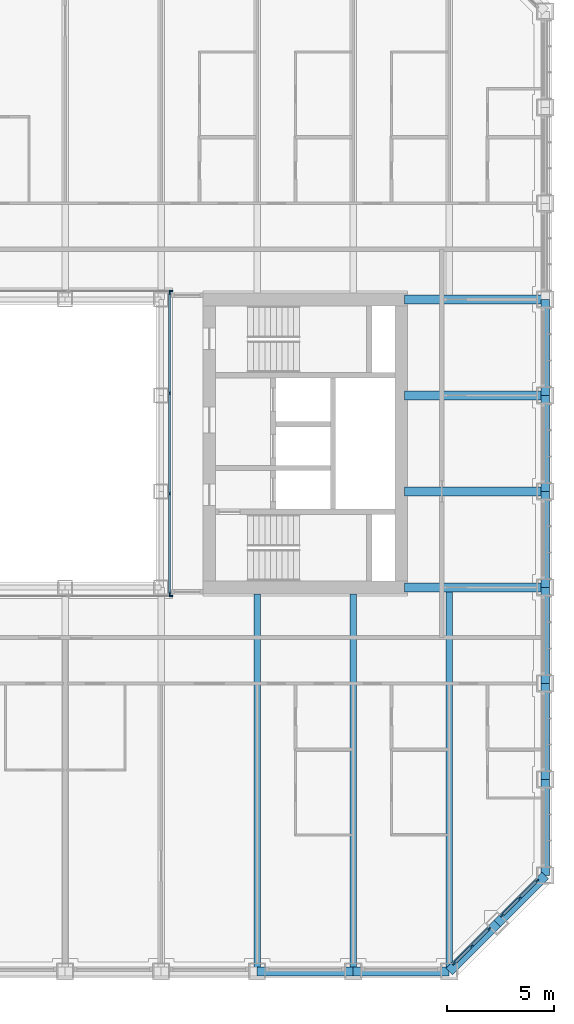
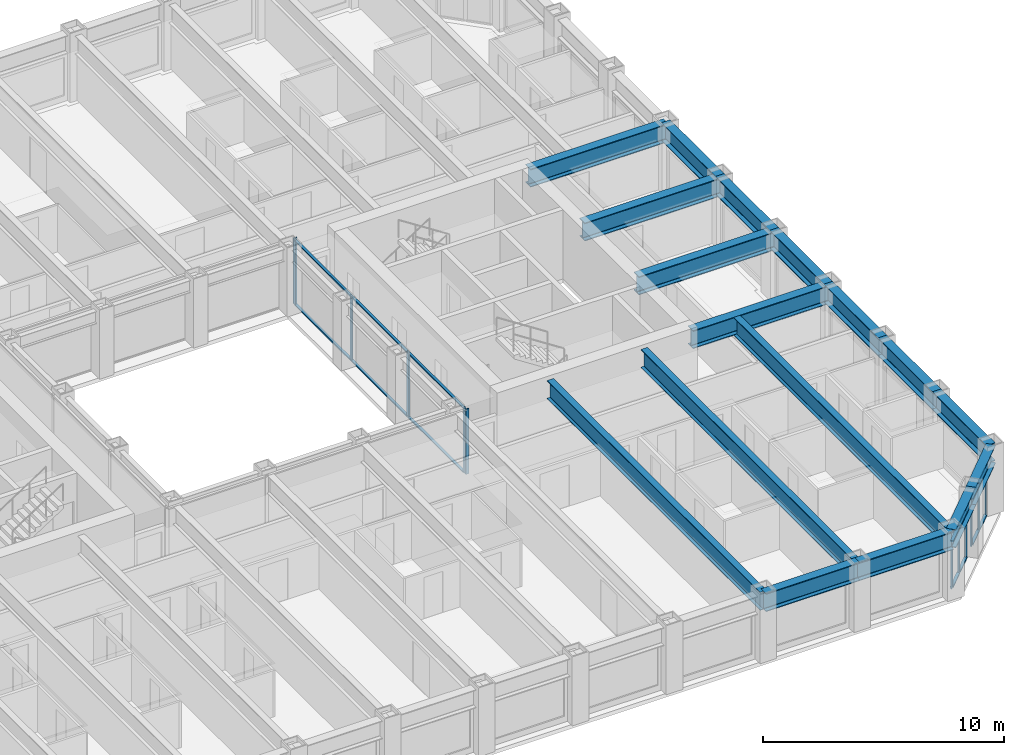
# One storey, part 5 of 21: 26 members, 17 beams, 5 elements without a shape of their own.
"""IFC4 building model written with IfcOpenShell, lengths in metres."""

from ifc_helpers import new_model, si_unit, direction, frame, origin, origin_2d, place, context, subcontext, project, spatial, rectangle, i_section, extrude, material, material_profile, profile_set, type_object, element, aggregate, save


model = new_model("IFC4")

# Units and contexts
model_context = context("Model", 3, precision=1e-05, world=origin(), true_north=direction((0.0, 1.0)))
body_context = subcontext(model_context, "Body", "Model", "MODEL_VIEW")
ifc_project = project(units=[si_unit("LENGTHUNIT", "METRE"), si_unit("AREAUNIT", "SQUARE_METRE"), si_unit("VOLUMEUNIT", "CUBIC_METRE"), si_unit("PLANEANGLEUNIT", "RADIAN"), si_unit("MASSUNIT", "GRAM", prefix="KILO")], contexts=[model_context])

# Site, building, storey
site_placement = place(None, origin())
site = spatial("IfcSite", under=ifc_project, at=site_placement, CompositionType="ELEMENT")
building_placement = place(site_placement, origin())
building = spatial("IfcBuilding", under=site, at=building_placement, Name="Msasa Ring Tower", CompositionType="ELEMENT")
storey_placement = place(building_placement, frame((0.0, 0.0, 82.5)))
storey = spatial("IfcBuildingStorey", under=building, at=storey_placement, Name="L21", CompositionType="ELEMENT", Elevation=82.5)

# Curtain wall, members
ifc_material_1 = material(Name="Aluminium curtain wall with clear glass", Category="aluminium")
curtain_wall_type_1 = type_object("IfcCurtainWallType", Name="CW-C CHAMFER CORNER CURTAIN WALL", PredefinedType="NOTDEFINED", material=ifc_material_1)
curtain_wall_1_placement = place(storey_placement, origin())
curtain_wall_1 = element("IfcCurtainWall", 1, at=curtain_wall_1_placement, inside=storey, type_object=curtain_wall_type_1, Name="Chamfer corner curtain wall SE L21", PredefinedType="NOTDEFINED")
ifc_material_2 = material(Name="Aluminium mullion", Category="aluminium")
ifc_material_profile_1 = material_profile(ifc_material_2, rectangle(XDim=0.06494140625, YDim=0.179931640625, at=origin_2d()), Name="AL 65x180")
ifc_profile_set_1 = profile_set([ifc_material_profile_1], Name="Aluminium mullion")
member_type_1 = type_object("IfcMemberType", Name="CW-C MULLION 65x180", PredefinedType="MULLION", material=ifc_profile_set_1)
member_1_placement = place(storey_placement, frame((20.48876953125, -24.369873046875, 0.0), z_axis=(0.0, 0.0, 1.0), x_axis=(-0.707106781187, 0.707106781187, 0.0)))
member_1 = element("IfcMember", 2, at=member_1_placement, type_object=member_type_1, Name="CW-C mullion 1", PredefinedType="MULLION", context=body_context, shape_type="SweptSolid", body=[
    extrude(rectangle(XDim=0.06494140625, YDim=0.179931640625, at=origin_2d()), origin(), (0.0, 0.0, 1.0), 2.37890625),
])
member_2_placement = place(storey_placement, frame((21.30419921875, -23.55419921875, 0.0), z_axis=(0.0, 0.0, 1.0), x_axis=(-0.707106781187, 0.707106781187, 0.0)))
member_2 = element("IfcMember", 3, at=member_2_placement, type_object=member_type_1, Name="CW-C mullion 2", PredefinedType="MULLION", context=body_context, shape_type="SweptSolid", body=[
    extrude(rectangle(XDim=0.06494140625, YDim=0.179931640625, at=origin_2d()), origin(), (0.0, 0.0, 1.0), 2.37890625),
])
member_3_placement = place(storey_placement, frame((22.119873046875, -22.73876953125, 0.0), z_axis=(0.0, 0.0, 1.0), x_axis=(-0.707106781187, 0.707106781187, 0.0)))
member_3 = element("IfcMember", 4, at=member_3_placement, type_object=member_type_1, Name="CW-C mullion 3", PredefinedType="MULLION", context=body_context, shape_type="SweptSolid", body=[
    extrude(rectangle(XDim=0.06494140625, YDim=0.179931640625, at=origin_2d()), origin(), (0.0, 0.0, 1.0), 2.37890625),
])

curtain_wall_2_placement = place(storey_placement, origin())
curtain_wall_2 = element("IfcCurtainWall", 5, at=curtain_wall_2_placement, inside=storey, type_object=curtain_wall_type_1, Name="Chamfer corner curtain wall SE L21", PredefinedType="NOTDEFINED")
member_4_placement = place(storey_placement, frame((22.73876953125, -22.119873046875, 0.0), z_axis=(0.0, 0.0, 1.0), x_axis=(-0.707106781187, 0.707106781187, 0.0)))
member_4 = element("IfcMember", 6, at=member_4_placement, type_object=member_type_1, Name="CW-C mullion 1", PredefinedType="MULLION", context=body_context, shape_type="SweptSolid", body=[
    extrude(rectangle(XDim=0.06494140625, YDim=0.179931640625, at=origin_2d()), origin(), (0.0, 0.0, 1.0), 2.37890625),
])
member_5_placement = place(storey_placement, frame((23.55419921875, -21.30419921875, 0.0), z_axis=(0.0, 0.0, 1.0), x_axis=(-0.707106781187, 0.707106781187, 0.0)))
member_5 = element("IfcMember", 7, at=member_5_placement, type_object=member_type_1, Name="CW-C mullion 2", PredefinedType="MULLION", context=body_context, shape_type="SweptSolid", body=[
    extrude(rectangle(XDim=0.06494140625, YDim=0.179931640625, at=origin_2d()), origin(), (0.0, 0.0, 1.0), 2.37890625),
])
member_6_placement = place(storey_placement, frame((24.369873046875, -20.48876953125, 0.0), z_axis=(0.0, 0.0, 1.0), x_axis=(-0.707106781187, 0.707106781187, 0.0)))
member_6 = element("IfcMember", 8, at=member_6_placement, type_object=member_type_1, Name="CW-C mullion 3", PredefinedType="MULLION", context=body_context, shape_type="SweptSolid", body=[
    extrude(rectangle(XDim=0.06494140625, YDim=0.179931640625, at=origin_2d()), origin(), (0.0, 0.0, 1.0), 2.37890625),
])

# Member
ifc_material_3 = material(Name="Aluminium transom", Category="aluminium")
ifc_material_profile_2 = material_profile(ifc_material_3, rectangle(XDim=0.139892578125, YDim=0.06494140625, at=origin_2d()), Name="AL 65x140")
ifc_profile_set_2 = profile_set([ifc_material_profile_2], Name="Aluminium transom")
member_type_2 = type_object("IfcMemberType", Name="CW-C TRANSOM 65x140", PredefinedType="USERDEFINED", material=ifc_profile_set_2)
member_7_placement = place(storey_placement, frame((20.51171875, -24.346923828125, 0.032470703125), z_axis=(0.707106781187, 0.707106781187, 0.0), x_axis=(-0.707106781187, 0.707106781187, 0.0)))
member_7 = element("IfcMember", 9, at=member_7_placement, type_object=member_type_2, Name="CW-C transom 1.1", ObjectType="TRANSOM", PredefinedType="USERDEFINED", context=body_context, shape_type="SweptSolid", body=[
    extrude(rectangle(XDim=0.139892578125, YDim=0.06494140625, at=origin_2d()), origin(), (0.0, 0.0, 1.0), 1.08837890625),
])

member_8_placement = place(storey_placement, frame((20.51171875, -24.346923828125, 2.346435546875), z_axis=(0.707106781187, 0.707106781187, 0.0), x_axis=(-0.707106781187, 0.707106781187, 0.0)))
member_8 = element("IfcMember", 10, at=member_8_placement, type_object=member_type_2, Name="CW-C transom 1.2", ObjectType="TRANSOM", PredefinedType="USERDEFINED", context=body_context, shape_type="SweptSolid", body=[
    extrude(rectangle(XDim=0.139892578125, YDim=0.06494140625, at=origin_2d()), origin(), (0.0, 0.0, 1.0), 1.08837890625),
])

member_9_placement = place(storey_placement, frame((21.327392578125, -23.53125, 0.032470703125), z_axis=(0.707106781187, 0.707106781187, 0.0), x_axis=(-0.707106781187, 0.707106781187, 0.0)))
member_9 = element("IfcMember", 11, at=member_9_placement, type_object=member_type_2, Name="CW-C transom 2.1", ObjectType="TRANSOM", PredefinedType="USERDEFINED", context=body_context, shape_type="SweptSolid", body=[
    extrude(rectangle(XDim=0.139892578125, YDim=0.06494140625, at=origin_2d()), origin(), (0.0, 0.0, 1.0), 1.08837890625),
])

member_10_placement = place(storey_placement, frame((21.327392578125, -23.53125, 2.346435546875), z_axis=(0.707106781187, 0.707106781187, 0.0), x_axis=(-0.707106781187, 0.707106781187, 0.0)))
member_10 = element("IfcMember", 12, at=member_10_placement, type_object=member_type_2, Name="CW-C transom 2.2", ObjectType="TRANSOM", PredefinedType="USERDEFINED", context=body_context, shape_type="SweptSolid", body=[
    extrude(rectangle(XDim=0.139892578125, YDim=0.06494140625, at=origin_2d()), origin(), (0.0, 0.0, 1.0), 1.08837890625),
])

aggregate(curtain_wall_1, [member_1, member_2, member_3, member_7, member_8, member_9, member_10])

member_11_placement = place(storey_placement, frame((22.76171875, -22.096923828125, 0.032470703125), z_axis=(0.707106781187, 0.707106781187, 0.0), x_axis=(-0.707106781187, 0.707106781187, 0.0)))
member_11 = element("IfcMember", 13, at=member_11_placement, type_object=member_type_2, Name="CW-C transom 1.1", ObjectType="TRANSOM", PredefinedType="USERDEFINED", context=body_context, shape_type="SweptSolid", body=[
    extrude(rectangle(XDim=0.139892578125, YDim=0.06494140625, at=origin_2d()), origin(), (0.0, 0.0, 1.0), 1.08837890625),
])

member_12_placement = place(storey_placement, frame((22.76171875, -22.096923828125, 2.346435546875), z_axis=(0.707106781187, 0.707106781187, 0.0), x_axis=(-0.707106781187, 0.707106781187, 0.0)))
member_12 = element("IfcMember", 14, at=member_12_placement, type_object=member_type_2, Name="CW-C transom 1.2", ObjectType="TRANSOM", PredefinedType="USERDEFINED", context=body_context, shape_type="SweptSolid", body=[
    extrude(rectangle(XDim=0.139892578125, YDim=0.06494140625, at=origin_2d()), origin(), (0.0, 0.0, 1.0), 1.08837890625),
])

member_13_placement = place(storey_placement, frame((23.577392578125, -21.28125, 0.032470703125), z_axis=(0.707106781187, 0.707106781187, 0.0), x_axis=(-0.707106781187, 0.707106781187, 0.0)))
member_13 = element("IfcMember", 15, at=member_13_placement, type_object=member_type_2, Name="CW-C transom 2.1", ObjectType="TRANSOM", PredefinedType="USERDEFINED", context=body_context, shape_type="SweptSolid", body=[
    extrude(rectangle(XDim=0.139892578125, YDim=0.06494140625, at=origin_2d()), origin(), (0.0, 0.0, 1.0), 1.08837890625),
])

member_14_placement = place(storey_placement, frame((23.577392578125, -21.28125, 2.346435546875), z_axis=(0.707106781187, 0.707106781187, 0.0), x_axis=(-0.707106781187, 0.707106781187, 0.0)))
member_14 = element("IfcMember", 16, at=member_14_placement, type_object=member_type_2, Name="CW-C transom 2.2", ObjectType="TRANSOM", PredefinedType="USERDEFINED", context=body_context, shape_type="SweptSolid", body=[
    extrude(rectangle(XDim=0.139892578125, YDim=0.06494140625, at=origin_2d()), origin(), (0.0, 0.0, 1.0), 1.08837890625),
])

aggregate(curtain_wall_2, [member_4, member_5, member_6, member_11, member_12, member_13, member_14])

# Curtain wall, member
ifc_material_4 = material(Name="Aluminium curtain wall with clear glass", Category="aluminium")
curtain_wall_type_2 = type_object("IfcCurtainWallType", Name="CW-W LIGHT WELL CURTAIN WALL", PredefinedType="NOTDEFINED", material=ifc_material_4)
curtain_wall_3_placement = place(storey_placement, origin())
curtain_wall_3 = element("IfcCurtainWall", 17, at=curtain_wall_3_placement, inside=storey, type_object=curtain_wall_type_2, Name="Light well curtain wall N L21", PredefinedType="NOTDEFINED")
ifc_material_5 = material(Name="Aluminium mullion", Category="aluminium")
ifc_material_profile_3 = material_profile(ifc_material_5, rectangle(XDim=0.06005859375, YDim=0.159912109375, at=origin_2d()), Name="AL 60x160")
ifc_profile_set_3 = profile_set([ifc_material_profile_3], Name="Aluminium mullion")
member_type_3 = type_object("IfcMemberType", Name="CW-W MULLION 60x160", PredefinedType="MULLION", material=ifc_profile_set_3)
member_15_placement = place(storey_placement, frame((7.199951171875, 7.14990234375, 0.0), z_axis=(0.0, 0.0, 1.0), x_axis=(0.0, 1.0, 0.0)))
member_15 = element("IfcMember", 18, at=member_15_placement, type_object=member_type_3, Name="CW-W mullion 4", PredefinedType="MULLION", context=body_context, shape_type="SweptSolid", body=[
    extrude(rectangle(XDim=0.06005859375, YDim=0.159912109375, at=origin_2d()), origin(), (0.0, 0.0, 1.0), 3.300048828125),
])
aggregate(curtain_wall_3, [member_15])

curtain_wall_4_placement = place(storey_placement, origin())
curtain_wall_4 = element("IfcCurtainWall", 19, at=curtain_wall_4_placement, inside=storey, type_object=curtain_wall_type_2, Name="Light well curtain wall S L21", PredefinedType="NOTDEFINED")
member_16_placement = place(storey_placement, frame((7.199951171875, -7.14990234375, 0.0), z_axis=(0.0, 0.0, 1.0), x_axis=(0.0, 1.0, 0.0)))
member_16 = element("IfcMember", 20, at=member_16_placement, type_object=member_type_3, Name="CW-W mullion 4", PredefinedType="MULLION", context=body_context, shape_type="SweptSolid", body=[
    extrude(rectangle(XDim=0.06005859375, YDim=0.159912109375, at=origin_2d()), origin(), (0.0, 0.0, 1.0), 3.300048828125),
])
aggregate(curtain_wall_4, [member_16])

# Curtain wall, members
curtain_wall_5_placement = place(storey_placement, origin())
curtain_wall_5 = element("IfcCurtainWall", 21, at=curtain_wall_5_placement, inside=storey, type_object=curtain_wall_type_2, Name="Light well curtain wall E L21", PredefinedType="NOTDEFINED")
member_17_placement = place(storey_placement, frame((7.14990234375, -7.0400390625, 0.0), z_axis=(0.0, 0.0, 1.0), x_axis=(-1.0, 0.0, 0.0)))
member_17 = element("IfcMember", 22, at=member_17_placement, type_object=member_type_3, Name="CW-W mullion 1", PredefinedType="MULLION", context=body_context, shape_type="SweptSolid", body=[
    extrude(rectangle(XDim=0.06005859375, YDim=0.159912109375, at=origin_2d()), origin(), (0.0, 0.0, 1.0), 3.300048828125),
])
member_18_placement = place(storey_placement, frame((7.14990234375, -2.356689453125, 0.0), z_axis=(0.0, 0.0, 1.0), x_axis=(-1.0, 0.0, 0.0)))
member_18 = element("IfcMember", 23, at=member_18_placement, type_object=member_type_3, Name="CW-W mullion 2", PredefinedType="MULLION", context=body_context, shape_type="SweptSolid", body=[
    extrude(rectangle(XDim=0.06005859375, YDim=0.159912109375, at=origin_2d()), origin(), (0.0, 0.0, 1.0), 3.300048828125),
])
member_19_placement = place(storey_placement, frame((7.14990234375, 2.356689453125, 0.0), z_axis=(0.0, 0.0, 1.0), x_axis=(-1.0, 0.0, 0.0)))
member_19 = element("IfcMember", 24, at=member_19_placement, type_object=member_type_3, Name="CW-W mullion 3", PredefinedType="MULLION", context=body_context, shape_type="SweptSolid", body=[
    extrude(rectangle(XDim=0.06005859375, YDim=0.159912109375, at=origin_2d()), origin(), (0.0, 0.0, 1.0), 3.300048828125),
])
member_20_placement = place(storey_placement, frame((7.14990234375, 7.0400390625, 0.0), z_axis=(0.0, 0.0, 1.0), x_axis=(-1.0, 0.0, 0.0)))
member_20 = element("IfcMember", 25, at=member_20_placement, type_object=member_type_3, Name="CW-W mullion 4", PredefinedType="MULLION", context=body_context, shape_type="SweptSolid", body=[
    extrude(rectangle(XDim=0.06005859375, YDim=0.159912109375, at=origin_2d()), origin(), (0.0, 0.0, 1.0), 3.300048828125),
])
ifc_material_6 = material(Name="Aluminium transom", Category="aluminium")
ifc_material_profile_4 = material_profile(ifc_material_6, rectangle(XDim=0.1201171875, YDim=0.06005859375, at=origin_2d()), Name="AL 60x120")
ifc_profile_set_4 = profile_set([ifc_material_profile_4], Name="Aluminium transom")
member_type_4 = type_object("IfcMemberType", Name="CW-W TRANSOM 60x120", PredefinedType="USERDEFINED", material=ifc_profile_set_4)
member_21_placement = place(storey_placement, frame((7.14990234375, -7.010009765625, 0.030029296875), z_axis=(0.0, 1.0, 0.0), x_axis=(-1.0, 0.0, 0.0)))
member_21 = element("IfcMember", 26, at=member_21_placement, type_object=member_type_4, Name="CW-W transom 1.1", ObjectType="TRANSOM", PredefinedType="USERDEFINED", context=body_context, shape_type="SweptSolid", body=[
    extrude(rectangle(XDim=0.1201171875, YDim=0.06005859375, at=origin_2d()), origin(), (0.0, 0.0, 1.0), 4.623291015625),
])
member_22_placement = place(storey_placement, frame((7.14990234375, -7.010009765625, 3.27001953125), z_axis=(0.0, 1.0, 0.0), x_axis=(-1.0, 0.0, 0.0)))
member_22 = element("IfcMember", 27, at=member_22_placement, type_object=member_type_4, Name="CW-W transom 1.2", ObjectType="TRANSOM", PredefinedType="USERDEFINED", context=body_context, shape_type="SweptSolid", body=[
    extrude(rectangle(XDim=0.1201171875, YDim=0.06005859375, at=origin_2d()), origin(), (0.0, 0.0, 1.0), 4.623291015625),
])
member_23_placement = place(storey_placement, frame((7.14990234375, -2.32666015625, 0.030029296875), z_axis=(0.0, 1.0, 0.0), x_axis=(-1.0, 0.0, 0.0)))
member_23 = element("IfcMember", 28, at=member_23_placement, type_object=member_type_4, Name="CW-W transom 2.1", ObjectType="TRANSOM", PredefinedType="USERDEFINED", context=body_context, shape_type="SweptSolid", body=[
    extrude(rectangle(XDim=0.1201171875, YDim=0.06005859375, at=origin_2d()), origin(), (0.0, 0.0, 1.0), 4.6533203125),
])
member_24_placement = place(storey_placement, frame((7.14990234375, -2.32666015625, 3.27001953125), z_axis=(0.0, 1.0, 0.0), x_axis=(-1.0, 0.0, 0.0)))
member_24 = element("IfcMember", 29, at=member_24_placement, type_object=member_type_4, Name="CW-W transom 2.2", ObjectType="TRANSOM", PredefinedType="USERDEFINED", context=body_context, shape_type="SweptSolid", body=[
    extrude(rectangle(XDim=0.1201171875, YDim=0.06005859375, at=origin_2d()), origin(), (0.0, 0.0, 1.0), 4.6533203125),
])
member_25_placement = place(storey_placement, frame((7.14990234375, 2.38671875, 0.030029296875), z_axis=(0.0, 1.0, 0.0), x_axis=(-1.0, 0.0, 0.0)))
member_25 = element("IfcMember", 30, at=member_25_placement, type_object=member_type_4, Name="CW-W transom 3.1", ObjectType="TRANSOM", PredefinedType="USERDEFINED", context=body_context, shape_type="SweptSolid", body=[
    extrude(rectangle(XDim=0.1201171875, YDim=0.06005859375, at=origin_2d()), origin(), (0.0, 0.0, 1.0), 4.623291015625),
])
member_26_placement = place(storey_placement, frame((7.14990234375, 2.38671875, 3.27001953125), z_axis=(0.0, 1.0, 0.0), x_axis=(-1.0, 0.0, 0.0)))
member_26 = element("IfcMember", 31, at=member_26_placement, type_object=member_type_4, Name="CW-W transom 3.2", ObjectType="TRANSOM", PredefinedType="USERDEFINED", context=body_context, shape_type="SweptSolid", body=[
    extrude(rectangle(XDim=0.1201171875, YDim=0.06005859375, at=origin_2d()), origin(), (0.0, 0.0, 1.0), 4.623291015625),
])
aggregate(curtain_wall_5, [member_17, member_18, member_19, member_20, member_21, member_22, member_23, member_24, member_25, member_26])

# Beams
ifc_material_7 = material(Name="Steel S355", Category="steel")
ifc_material_profile_5 = material_profile(ifc_material_7, i_section(OverallWidth=0.42041015625, OverallDepth=0.9208984375, WebThickness=0.021484375, FlangeThickness=0.03662109375, FilletRadius=0.024169921875, at=origin_2d()), Name="UB 914x419x388")
ifc_profile_set_5 = profile_set([ifc_material_profile_5], Name="Steel S355")
beam_type_1 = type_object("IfcBeamType", Name="FB2 UB 914x419x388", PredefinedType="BEAM", material=ifc_profile_set_5)
for number, where, z_axis, x_axis, name in (
    (32, (24.75, -2.25, 2.839599609375), (-1.0, 0.0, 0.0), (0.0, -1.0, 0.0), "Floor beam E -2.25 under L22"),
    (33, (24.75, 2.25, 2.839599609375), (-1.0, 0.0, 0.0), (0.0, -1.0, 0.0), "Floor beam E +2.25 under L22"),
):
    element("IfcBeam", number, at=place(storey_placement, frame(where, z_axis=z_axis, x_axis=x_axis)), inside=storey, type_object=beam_type_1, Name=name, PredefinedType="BEAM", context=body_context, shape_type="SweptSolid", body=[
        extrude(i_section(OverallWidth=0.42041015625, OverallDepth=0.9208984375, WebThickness=0.021484375, FlangeThickness=0.03662109375, FilletRadius=0.024169921875, at=origin_2d()), origin(), (0.0, 0.0, 1.0), 6.60009765625),
    ])
ifc_material_8 = material(Name="Steel S355", Category="steel")
ifc_material_profile_6 = material_profile(ifc_material_8, i_section(OverallWidth=0.3076171875, OverallDepth=0.926513671875, WebThickness=0.01953125, FlangeThickness=0.031982421875, FilletRadius=0.01904296875, at=origin_2d()), Name="UB 914x305x289")
ifc_profile_set_6 = profile_set([ifc_material_profile_6], Name="Steel S355")
beam_type_2 = type_object("IfcBeamType", Name="FB3 UB 914x305x289", PredefinedType="BEAM", material=ifc_profile_set_6)
for number, where, z_axis, x_axis, name in (
    (34, (11.25, -24.75, 2.836669921875), (0.0, 1.0, 0.0), (-1.0, 0.0, 0.0), "Floor beam S+11.25 under L22"),
    (35, (15.75, -24.75, 2.836669921875), (0.0, 1.0, 0.0), (-1.0, 0.0, 0.0), "Floor beam S+15.75 under L22"),
):
    element("IfcBeam", number, at=place(storey_placement, frame(where, z_axis=z_axis, x_axis=x_axis)), inside=storey, type_object=beam_type_2, Name=name, PredefinedType="BEAM", context=body_context, shape_type="SweptSolid", body=[
        extrude(i_section(OverallWidth=0.3076171875, OverallDepth=0.926513671875, WebThickness=0.01953125, FlangeThickness=0.031982421875, FilletRadius=0.01904296875, at=origin_2d()), origin(), (0.0, 0.0, 1.0), 17.699951171875),
    ])
beam_placement = place(storey_placement, frame((20.25, -24.75, 2.836669921875), z_axis=(0.0, 1.0, 0.0), x_axis=(-1.0, 0.0, 0.0)))
element("IfcBeam", 36, at=beam_placement, inside=storey, type_object=beam_type_2, Name="Floor beam S+20.25 under L22", PredefinedType="BEAM", context=body_context, shape_type="SweptSolid", body=[
    extrude(i_section(OverallWidth=0.3076171875, OverallDepth=0.926513671875, WebThickness=0.01953125, FlangeThickness=0.031982421875, FilletRadius=0.01904296875, at=origin_2d()), origin(), (0.0, 0.0, 1.0), 17.789794921875),
])
ifc_material_9 = material(Name="Steel S355", Category="steel")
ifc_material_profile_7 = material_profile(ifc_material_9, i_section(OverallWidth=0.42041015625, OverallDepth=0.9208984375, WebThickness=0.021484375, FlangeThickness=0.03662109375, FilletRadius=0.024169921875, at=origin_2d()), Name="UB 914x419x388")
ifc_profile_set_7 = profile_set([ifc_material_profile_7], Name="Steel S355")
beam_type_3 = type_object("IfcBeamType", Name="GB1 UB 914x419x388", PredefinedType="BEAM", material=ifc_profile_set_7)
for number, where, z_axis, x_axis, name in (
    (37, (18.14990234375, 6.75, 2.839599609375), (1.0, 0.0, 0.0), (0.0, 1.0, 0.0), "Girder E +6.75 under L22"),
    (38, (18.14990234375, -6.75, 2.839599609375), (1.0, 0.0, 0.0), (0.0, 1.0, 0.0), "Girder E -6.75 under L22"),
):
    element("IfcBeam", number, at=place(storey_placement, frame(where, z_axis=z_axis, x_axis=x_axis)), inside=storey, type_object=beam_type_3, Name=name, PredefinedType="BEAM", context=body_context, shape_type="SweptSolid", body=[
        extrude(i_section(OverallWidth=0.42041015625, OverallDepth=0.9208984375, WebThickness=0.021484375, FlangeThickness=0.03662109375, FilletRadius=0.024169921875, at=origin_2d()), origin(), (0.0, 0.0, 1.0), 6.60009765625),
    ])
ifc_material_10 = material(Name="Steel S355", Category="steel")
ifc_material_profile_8 = material_profile(ifc_material_10, i_section(OverallWidth=0.42041015625, OverallDepth=0.9208984375, WebThickness=0.021484375, FlangeThickness=0.03662109375, FilletRadius=0.024169921875, at=origin_2d()), Name="UB 914x419x388")
ifc_profile_set_8 = profile_set([ifc_material_profile_8], Name="Steel S355")
beam_type_4 = type_object("IfcBeamType", Name="SB1 UB 914x419x388", PredefinedType="SPANDREL", material=ifc_profile_set_8)
for number, where, z_axis, x_axis, name in (
    (39, (11.25, -24.75, 2.839599609375), (1.0, 0.0, 0.0), (0.0, 1.0, 0.0), "Spandrel S+11.25 to S+15.75 under L22"),
    (40, (15.75, -24.75, 2.839599609375), (1.0, 0.0, 0.0), (0.0, 1.0, 0.0), "Spandrel S+15.75 to S+20.25 under L22"),
):
    element("IfcBeam", number, at=place(storey_placement, frame(where, z_axis=z_axis, x_axis=x_axis)), inside=storey, type_object=beam_type_4, Name=name, PredefinedType="SPANDREL", context=body_context, shape_type="SweptSolid", body=[
        extrude(i_section(OverallWidth=0.42041015625, OverallDepth=0.9208984375, WebThickness=0.021484375, FlangeThickness=0.03662109375, FilletRadius=0.024169921875, at=origin_2d()), origin(), (0.0, 0.0, 1.0), 4.5),
    ])
for number, where, z_axis, x_axis, name in (
    (41, (20.25, -24.75, 2.839599609375), (0.707106781187, 0.707106781187, 0.0), (-0.707106781187, 0.707106781187, 0.0), "Spandrel S+20.25 to SE under L22"),
    (42, (22.5, -22.5, 2.839599609375), (0.707106781187, 0.707106781187, 0.0), (-0.707106781187, 0.707106781187, 0.0), "Spandrel SE to E-20.25 under L22"),
):
    element("IfcBeam", number, at=place(storey_placement, frame(where, z_axis=z_axis, x_axis=x_axis)), inside=storey, type_object=beam_type_4, Name=name, PredefinedType="SPANDREL", context=body_context, shape_type="SweptSolid", body=[
        extrude(i_section(OverallWidth=0.42041015625, OverallDepth=0.9208984375, WebThickness=0.021484375, FlangeThickness=0.03662109375, FilletRadius=0.024169921875, at=origin_2d()), origin(), (0.0, 0.0, 1.0), 3.181884765625),
    ])
for number, where, z_axis, x_axis, name in (
    (43, (24.75, -20.25, 2.839599609375), (0.0, 1.0, 0.0), (-1.0, 0.0, 0.0), "Spandrel E-20.25 to E-15.75 under L22"),
    (44, (24.75, -15.75, 2.839599609375), (0.0, 1.0, 0.0), (-1.0, 0.0, 0.0), "Spandrel E-15.75 to E-11.25 under L22"),
    (45, (24.75, -11.25, 2.839599609375), (0.0, 1.0, 0.0), (-1.0, 0.0, 0.0), "Spandrel E-11.25 to E-6.75 under L22"),
    (46, (24.75, -6.75, 2.839599609375), (0.0, 1.0, 0.0), (-1.0, 0.0, 0.0), "Spandrel E-6.75 to E-2.25 under L22"),
    (47, (24.75, -2.25, 2.839599609375), (0.0, 1.0, 0.0), (-1.0, 0.0, 0.0), "Spandrel E-2.25 to E+2.25 under L22"),
    (48, (24.75, 2.25, 2.839599609375), (0.0, 1.0, 0.0), (-1.0, 0.0, 0.0), "Spandrel E+2.25 to E+6.75 under L22"),
):
    element("IfcBeam", number, at=place(storey_placement, frame(where, z_axis=z_axis, x_axis=x_axis)), inside=storey, type_object=beam_type_4, Name=name, PredefinedType="SPANDREL", context=body_context, shape_type="SweptSolid", body=[
        extrude(i_section(OverallWidth=0.42041015625, OverallDepth=0.9208984375, WebThickness=0.021484375, FlangeThickness=0.03662109375, FilletRadius=0.024169921875, at=origin_2d()), origin(), (0.0, 0.0, 1.0), 4.5),
    ])

save(model, "model.ifc")
